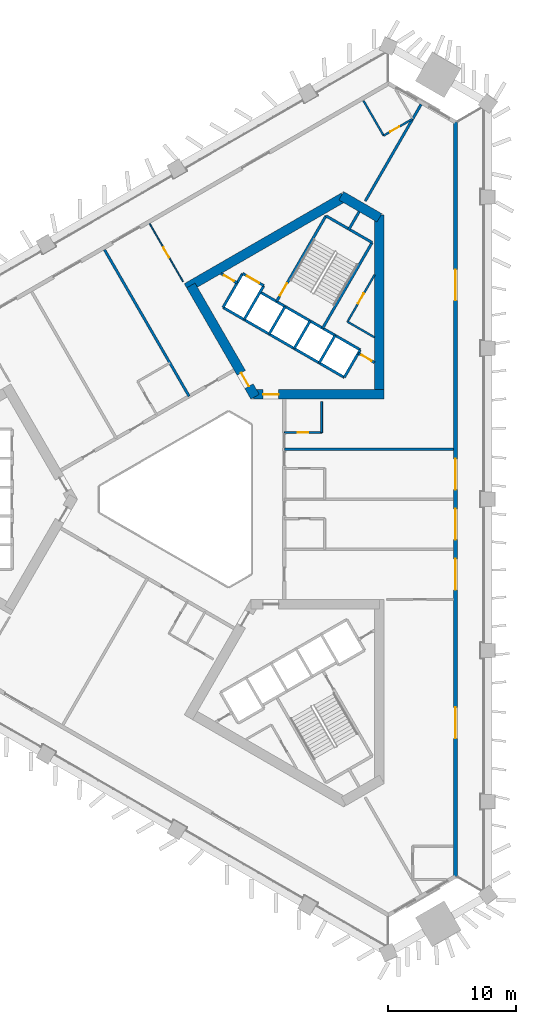
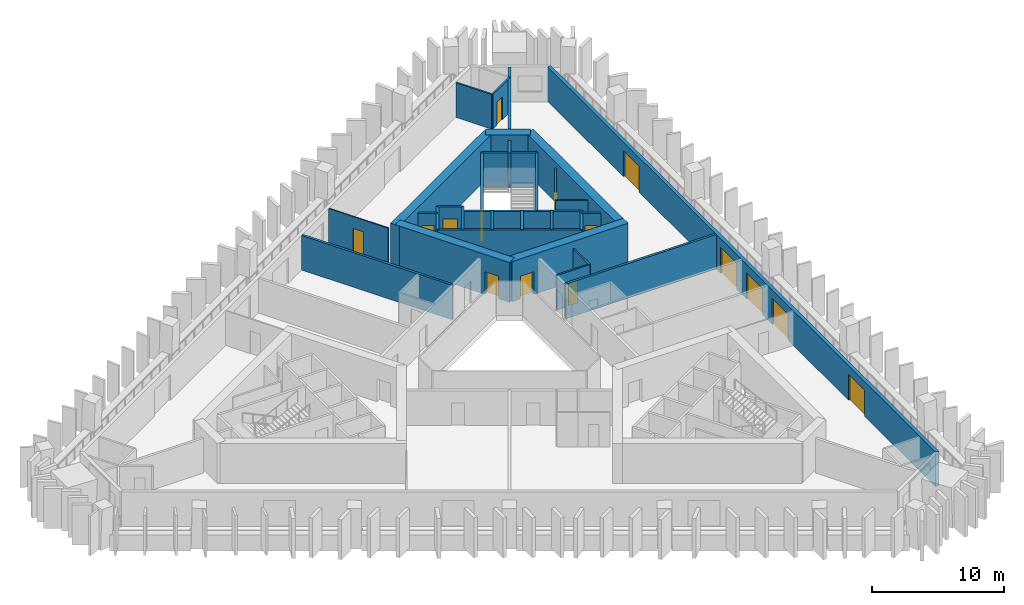
# One storey, part 6 of 11: 31 walls, 15 doors, 15 openings.
"""IFC4 building model written with IfcOpenShell, lengths in metres."""

from ifc_helpers import new_model, si_unit, direction, frame, frame_2d, origin, place, context, subcontext, project, spatial, rectangle, extrude, material, layer, layer_set, type_object, element, fill, save


model = new_model("IFC4")

# Units and contexts
model_context = context("Model", 3, precision=1e-05, world=origin(), true_north=direction((0.0, 1.0)))
body_context = subcontext(model_context, "Body", "Model", "MODEL_VIEW")
ifc_project = project(units=[si_unit("LENGTHUNIT", "METRE"), si_unit("AREAUNIT", "SQUARE_METRE"), si_unit("VOLUMEUNIT", "CUBIC_METRE"), si_unit("PLANEANGLEUNIT", "RADIAN"), si_unit("MASSUNIT", "GRAM", prefix="KILO")], contexts=[model_context])

# Site, building, storey
site_placement = place(None, origin())
site = spatial("IfcSite", under=ifc_project, at=site_placement, CompositionType="ELEMENT")
building_placement = place(site_placement, origin())
building = spatial("IfcBuilding", under=site, at=building_placement, Name="Jabali Bay Hotel Tower and Convention Centre", CompositionType="ELEMENT")
storey_placement = place(building_placement, frame((0.0, 0.0, 83.199951171875)))
storey = spatial("IfcBuildingStorey", under=building, at=storey_placement, Name="L19", CompositionType="ELEMENT", Elevation=83.199951171875)

# Wall
ifc_material_1 = material(Name="Concrete C40", Category="concrete")
ifc_layer_1 = layer(ifc_material_1, 0.199951171875)
ifc_layer_set_1 = layer_set([ifc_layer_1], Name="Concrete C40")
wall_type_1 = type_object("IfcWallType", Name="Core partition wall 200", PredefinedType="PARTITIONING", material=ifc_layer_set_1)
wall_1_placement = place(storey_placement, frame((87.090087890625, 100.9404296875, 0.0), z_axis=(0.0, 0.0, 1.0), x_axis=(0.499937194881, 0.866061661301, 0.0)))
element("IfcWall", 1, at=wall_1_placement, inside=storey, type_object=wall_type_1, Name="Core wall 1.5 L19", PredefinedType="PARTITIONING", context=body_context, shape_type="SweptSolid", body=[
    extrude(rectangle(XDim=1.673095703125, YDim=0.199951171875, at=frame_2d((0.83642578125, 0.0))), origin(), (0.0, 0.0, 1.0), 3.199951171875),
])

# Wall, opening, door
wall_2_placement = place(storey_placement, frame((89.130126953125, 90.640625, 0.0), z_axis=(0.0, 0.0, 1.0), x_axis=(-0.866094119867, 0.499880961361, 0.0)))
wall_2 = element("IfcWall", 2, at=wall_2_placement, inside=storey, type_object=wall_type_1, Name="Core wall 1.11 L19", PredefinedType="PARTITIONING", context=body_context, shape_type="SweptSolid", body=[
    extrude(rectangle(XDim=1.466552734375, YDim=0.199951171875, at=frame_2d((0.7333984375, 0.0))), origin(), (0.0, 0.0, 1.0), 3.199951171875),
])
opening_1_placement = place(wall_2_placement, frame((0.283447265625, 0.0, 0.0)))
opening_1 = element("IfcOpeningElement", 3, at=opening_1_placement, cuts=wall_2, Name="Opening D465", PredefinedType="OPENING", context=body_context, shape_type="SweptSolid", body=[
    extrude(rectangle(XDim=0.89990234375, YDim=2.10009765625, at=frame_2d((0.449951171875, 1.050048828125))), frame((0.0, 0.1103515625, 0.0), z_axis=(0.0, -1.0, 0.0), x_axis=(1.0, 0.0, 0.0)), (0.0, 0.0, 1.0), 0.220947265625),
])
ifc_material_2 = material(Name="Fire-rated steel door", Category="steel")
door_type_1 = type_object("IfcDoorType", Name="Vestibule fire door 900 x 2100", OperationType="NOTDEFINED", PredefinedType="NOTDEFINED", material=ifc_material_2)
door_1_placement = place(opening_1_placement, origin())
door_1 = element("IfcDoor", 4, at=door_1_placement, inside=storey, type_object=door_type_1, Name="Vestibule fire door D465", OperationType="SINGLE_SWING_LEFT", OverallHeight=2.10009765625, OverallWidth=0.89990234375, PredefinedType="NOTDEFINED", context=body_context, shape_type="SweptSolid", body=[
    extrude(rectangle(XDim=0.89990234375, YDim=2.10009765625, at=frame_2d((0.449951171875, 1.050048828125))), frame((0.0, 0.02490234375, 0.0), z_axis=(0.0, -1.0, 0.0), x_axis=(1.0, 0.0, 0.0)), (0.0, 0.0, 1.0), 0.050048828125),
])
fill(opening_1, door_1)

wall_3_placement = place(storey_placement, frame((78.43017578125, 96.84130859375, 0.0), z_axis=(0.0, 0.0, 1.0), x_axis=(-0.866045896294, 0.499964504253, 0.0)))
wall_3 = element("IfcWall", 5, at=wall_3_placement, inside=storey, type_object=wall_type_1, Name="Core wall 1.12 L19", PredefinedType="PARTITIONING", context=body_context, shape_type="SweptSolid", body=[
    extrude(rectangle(XDim=1.455078125, YDim=0.199951171875, at=frame_2d((0.7275390625, 0.0))), origin(), (0.0, 0.0, 1.0), 3.199951171875),
])
opening_2_placement = place(wall_3_placement, frame((0.277587890625, 0.0, 0.0)))
opening_2 = element("IfcOpeningElement", 6, at=opening_2_placement, cuts=wall_3, Name="Opening D464", PredefinedType="OPENING", context=body_context, shape_type="SweptSolid", body=[
    extrude(rectangle(XDim=0.89990234375, YDim=2.10009765625, at=frame_2d((0.449951171875, 1.050048828125))), frame((0.0, 0.1103515625, 0.0), z_axis=(0.0, -1.0, 0.0), x_axis=(1.0, 0.0, 0.0)), (0.0, 0.0, 1.0), 0.220947265625),
])
door_2_placement = place(opening_2_placement, origin())
door_2 = element("IfcDoor", 7, at=door_2_placement, inside=storey, type_object=door_type_1, Name="Vestibule fire door D464", OperationType="SINGLE_SWING_LEFT", OverallHeight=2.10009765625, OverallWidth=0.89990234375, PredefinedType="NOTDEFINED", context=body_context, shape_type="SweptSolid", body=[
    extrude(rectangle(XDim=0.89990234375, YDim=2.10009765625, at=frame_2d((0.449951171875, 1.050048828125))), frame((0.0, 0.02490234375, 0.0), z_axis=(0.0, -1.0, 0.0), x_axis=(1.0, 0.0, 0.0)), (0.0, 0.0, 1.0), 0.050048828125),
])
fill(opening_2, door_2)

ifc_material_3 = material(Name="Fire-rated board partition")
ifc_layer_2 = layer(ifc_material_3, 0.14990234375)
ifc_layer_set_2 = layer_set([ifc_layer_2], Name="Fire-rated board partition")
wall_type_2 = type_object("IfcWallType", Name="Core room partition 150", PredefinedType="PARTITIONING", material=ifc_layer_set_2)
wall_4_placement = place(storey_placement, frame((87.02099609375, 93.821044921875, 0.0), z_axis=(0.0, 0.0, 1.0), x_axis=(0.499986337096, 0.866033291922, 0.0)))
wall_4 = element("IfcWall", 8, at=wall_4_placement, inside=storey, type_object=wall_type_2, Name="Core wall 1.1 L19", PredefinedType="PARTITIONING", context=body_context, shape_type="SweptSolid", body=[
    extrude(rectangle(XDim=4.2177734375, YDim=0.14990234375, at=frame_2d((2.10888671875, 0.0))), origin(), (0.0, 0.0, 1.0), 3.199951171875),
])
opening_3_placement = place(wall_4_placement, frame((1.63134765625, 0.0, 0.0)))
opening_3 = element("IfcOpeningElement", 9, at=opening_3_placement, cuts=wall_4, Name="Opening D467", PredefinedType="OPENING", context=body_context, shape_type="SweptSolid", body=[
    extrude(rectangle(XDim=0.89990234375, YDim=2.10009765625, at=frame_2d((0.449951171875, 1.050048828125))), frame((0.0, 0.08544921875, 0.0), z_axis=(0.0, -1.0, 0.0), x_axis=(1.0, 0.0, 0.0)), (0.0, 0.0, 1.0), 0.1708984375),
])
door_type_2 = type_object("IfcDoorType", Name="Core room door 900 x 2100", OperationType="NOTDEFINED", PredefinedType="NOTDEFINED", material=ifc_material_2)
door_3_placement = place(opening_3_placement, origin())
door_3 = element("IfcDoor", 10, at=door_3_placement, inside=storey, type_object=door_type_2, Name="Core room door D467", OperationType="SINGLE_SWING_LEFT", OverallHeight=2.10009765625, OverallWidth=0.89990234375, PredefinedType="NOTDEFINED", context=body_context, shape_type="SweptSolid", body=[
    extrude(rectangle(XDim=0.89990234375, YDim=2.10009765625, at=frame_2d((0.449951171875, 1.050048828125))), frame((0.0, 0.02490234375, 0.0), z_axis=(0.0, -1.0, 0.0), x_axis=(1.0, 0.0, 0.0)), (0.0, 0.0, 1.0), 0.050048828125),
])
fill(opening_3, door_3)

# Walls
wall_5_placement = place(storey_placement, frame((89.130126953125, 92.603515625, 0.0), z_axis=(0.0, 0.0, 1.0), x_axis=(-0.866057046432, 0.499945189322, 0.0)))
element("IfcWall", 11, at=wall_5_placement, inside=storey, type_object=wall_type_2, Name="Core wall 1.15 L19", PredefinedType="PARTITIONING", context=body_context, shape_type="SweptSolid", body=[
    extrude(rectangle(XDim=2.435302734375, YDim=0.14990234375, at=frame_2d((1.2177734375, 0.0))), origin(), (0.0, 0.0, 1.0), 3.199951171875),
])
ifc_layer_3 = layer(ifc_material_1, 0.199951171875)
ifc_layer_set_3 = layer_set([ifc_layer_3], Name="Concrete C40")
wall_type_3 = type_object("IfcWallType", Name="Core stair wall 200", PredefinedType="SOLIDWALL", material=ifc_layer_set_3)
for number, where, z_axis, x_axis, name in (
    (12, (86.769775390625, 89.48583984375, 0.0), (0.0, 0.0, 1.0), (0.499961042966, 0.86604789447, 0.0), "Core wall 1.0 L19"),
    (13, (84.8212890625, 90.61083984375, 0.0), (0.0, 0.0, 1.0), (0.499961042966, 0.86604789447, 0.0), "Core wall 1.2 L19"),
):
    element("IfcWall", number, at=place(storey_placement, frame(where, z_axis=z_axis, x_axis=x_axis)), inside=storey, type_object=wall_type_3, Name=name, PredefinedType="SOLIDWALL", context=body_context, shape_type="SweptSolid", body=[
        extrude(rectangle(XDim=2.480224609375, YDim=0.199951171875, at=frame_2d((1.240234375, 0.0))), origin(), (0.0, 0.0, 1.0), 3.199951171875),
    ])
wall_6_placement = place(storey_placement, frame((85.0869140625, 93.3212890625, 0.0), z_axis=(0.0, 0.0, 1.0), x_axis=(0.500019787375, 0.866013979237, 0.0)))
element("IfcWall", 14, at=wall_6_placement, inside=storey, type_object=wall_type_3, Name="Core wall 1.3 L19", PredefinedType="SOLIDWALL", context=body_context, shape_type="SweptSolid", body=[
    extrude(rectangle(XDim=7.699951171875, YDim=0.199951171875, at=frame_2d((3.85009765625, 0.0))), origin(), (0.0, 0.0, 1.0), 3.199951171875),
])
for number, where, z_axis, x_axis, name in (
    (15, (82.872802734375, 91.73583984375, 0.0), (0.0, 0.0, 1.0), (0.499961042966, 0.86604789447, 0.0), "Core wall 1.4 L19"),
    (16, (80.924072265625, 92.86083984375, 0.0), (0.0, 0.0, 1.0), (0.499961042966, 0.86604789447, 0.0), "Core wall 1.6 L19"),
):
    element("IfcWall", number, at=place(storey_placement, frame(where, z_axis=z_axis, x_axis=x_axis)), inside=storey, type_object=wall_type_3, Name=name, PredefinedType="SOLIDWALL", context=body_context, shape_type="SweptSolid", body=[
        extrude(rectangle(XDim=2.480224609375, YDim=0.199951171875, at=frame_2d((1.240234375, 0.0))), origin(), (0.0, 0.0, 1.0), 3.199951171875),
    ])

# Wall, opening, door
wall_7_placement = place(storey_placement, frame((81.492919921875, 95.396240234375, 0.0), z_axis=(0.0, 0.0, 1.0), x_axis=(0.500006057782, 0.866021906294, 0.0)))
wall_7 = element("IfcWall", 17, at=wall_7_placement, inside=storey, type_object=wall_type_3, Name="Core wall 1.7 L19", PredefinedType="SOLIDWALL", context=body_context, shape_type="SweptSolid", body=[
    extrude(rectangle(XDim=7.7001953125, YDim=0.199951171875, at=frame_2d((3.85009765625, 0.0))), origin(), (0.0, 0.0, 1.0), 3.199951171875),
])
opening_4_placement = place(wall_7_placement, frame((0.550048828125, 0.0, 0.0)))
opening_4 = element("IfcOpeningElement", 18, at=opening_4_placement, cuts=wall_7, Name="Opening D466", PredefinedType="OPENING", context=body_context, shape_type="SweptSolid", body=[
    extrude(rectangle(XDim=1.10009765625, YDim=2.10009765625, at=frame_2d((0.550048828125, 1.050048828125))), frame((0.0, 0.1103515625, 0.0), z_axis=(0.0, -1.0, 0.0), x_axis=(1.0, 0.0, 0.0)), (0.0, 0.0, 1.0), 0.220947265625),
])
door_type_3 = type_object("IfcDoorType", Name="Stair fire door 1100 x 2100", OperationType="NOTDEFINED", PredefinedType="NOTDEFINED", material=ifc_material_2)
door_4_placement = place(opening_4_placement, origin())
door_4 = element("IfcDoor", 19, at=door_4_placement, inside=storey, type_object=door_type_3, Name="Stair fire door D466", OperationType="SINGLE_SWING_RIGHT", OverallHeight=2.10009765625, OverallWidth=1.10009765625, PredefinedType="NOTDEFINED", context=body_context, shape_type="SweptSolid", body=[
    extrude(rectangle(XDim=1.10009765625, YDim=2.10009765625, at=frame_2d((0.550048828125, 1.050048828125))), frame((0.0, 0.02490234375, 0.0), z_axis=(0.0, -1.0, 0.0), x_axis=(1.0, 0.0, 0.0)), (0.0, 0.0, 1.0), 0.050048828125),
])
fill(opening_4, door_4)

# Walls
for number, where, z_axis, x_axis, name in (
    (20, (78.9755859375, 93.98583984375, 0.0), (0.0, 0.0, 1.0), (0.499944174705, 0.866057632134, 0.0), "Core wall 1.8 L19"),
    (21, (77.330078125, 94.93603515625, 0.0), (0.0, 0.0, 1.0), (0.500038867431, 0.8660029625, 0.0), "Core wall 1.9 L19"),
):
    element("IfcWall", number, at=place(storey_placement, frame(where, z_axis=z_axis, x_axis=x_axis)), inside=storey, type_object=wall_type_3, Name=name, PredefinedType="SOLIDWALL", context=body_context, shape_type="SweptSolid", body=[
        extrude(rectangle(XDim=3.050048828125, YDim=0.199951171875, at=frame_2d((1.52490234375, 0.0))), origin(), (0.0, 0.0, 1.0), 3.199951171875),
    ])
wall_8_placement = place(storey_placement, frame((86.769775390625, 89.48583984375, 0.0), z_axis=(0.0, 0.0, 1.0), x_axis=(-0.86601811187, 0.500012629753, 0.0)))
element("IfcWall", 22, at=wall_8_placement, inside=storey, type_object=wall_type_3, Name="Core wall 1.10 L19", PredefinedType="SOLIDWALL", context=body_context, shape_type="SweptSolid", body=[
    extrude(rectangle(XDim=10.900146484375, YDim=0.199951171875, at=frame_2d((5.4501953125, 0.0))), origin(), (0.0, 0.0, 1.0), 3.199951171875),
])
wall_9_placement = place(storey_placement, frame((88.009765625, 91.6337890625, 0.0), z_axis=(0.0, 0.0, 1.0), x_axis=(-0.866024315419, 0.5000018851, 0.0)))
element("IfcWall", 23, at=wall_9_placement, inside=storey, type_object=wall_type_3, Name="Core wall 1.13 L19", PredefinedType="SOLIDWALL", context=body_context, shape_type="SweptSolid", body=[
    extrude(rectangle(XDim=9.0, YDim=0.199951171875, at=frame_2d((4.5, 0.0))), origin(), (0.0, 0.0, 1.0), 3.199951171875),
])

# Wall, opening, door
wall_10_placement = place(storey_placement, frame((80.50048828125, 96.62744140625, 0.0), z_axis=(0.0, 0.0, 1.0), x_axis=(-0.86601224135, 0.500022797313, 0.0)))
wall_10 = element("IfcWall", 24, at=wall_10_placement, inside=storey, type_object=wall_type_3, Name="Core wall 1.14 L19", PredefinedType="SOLIDWALL", context=body_context, shape_type="SweptSolid", body=[
    extrude(rectangle(XDim=1.89990234375, YDim=0.199951171875, at=frame_2d((0.949951171875, 0.0))), origin(), (0.0, 0.0, 1.0), 3.199951171875),
])
opening_5_placement = place(wall_10_placement, frame((0.39990234375, 0.0, 0.0)))
opening_5 = element("IfcOpeningElement", 25, at=opening_5_placement, cuts=wall_10, Name="Opening LD10-L19", PredefinedType="OPENING", context=body_context, shape_type="SweptSolid", body=[
    extrude(rectangle(XDim=1.10009765625, YDim=2.10009765625, at=frame_2d((0.550048828125, 1.050048828125))), frame((0.0, 0.1103515625, 0.0), z_axis=(0.0, -1.0, 0.0), x_axis=(1.0, 0.0, 0.0)), (0.0, 0.0, 1.0), 0.220947265625),
])
ifc_material_4 = material(Name="Stainless steel landing door", Category="steel")
door_type_4 = type_object("IfcDoorType", Name="Landing door 1100 x 2100", OperationType="NOTDEFINED", PredefinedType="NOTDEFINED", material=ifc_material_4)
door_5_placement = place(opening_5_placement, origin())
door_5 = element("IfcDoor", 26, at=door_5_placement, inside=storey, type_object=door_type_4, Name="Landing doors LD10-L19", OperationType="SLIDING_TO_RIGHT", OverallHeight=2.10009765625, OverallWidth=1.10009765625, PredefinedType="NOTDEFINED", context=body_context, shape_type="SweptSolid", body=[
    extrude(rectangle(XDim=1.10009765625, YDim=2.10009765625, at=frame_2d((0.550048828125, 1.050048828125))), frame((0.0, 0.02490234375, 0.0), z_axis=(0.0, -1.0, 0.0), x_axis=(1.0, 0.0, 0.0)), (0.0, 0.0, 1.0), 0.050048828125),
])
fill(opening_5, door_5)

# Wall
wall_11_placement = place(storey_placement, frame((88.93701171875, 99.989501953125, 0.0), z_axis=(0.0, 0.0, 1.0), x_axis=(-0.866004344652, 0.500036473714, 0.0)))
element("IfcWall", 27, at=wall_11_placement, inside=storey, type_object=wall_type_3, Name="Core wall 1.16 L19", PredefinedType="SOLIDWALL", context=body_context, shape_type="SweptSolid", body=[
    extrude(rectangle(XDim=4.150146484375, YDim=0.199951171875, at=frame_2d((2.0751953125, 0.0))), origin(), (0.0, 0.0, 1.0), 3.199951171875),
])

# Wall, opening, door
ifc_material_5 = material(Name="Concrete C60", Category="concrete")
ifc_layer_4 = layer(ifc_material_5, 0.75)
ifc_layer_set_4 = layer_set([ifc_layer_4], Name="Concrete C60")
wall_type_4 = type_object("IfcWallType", Name="Core wall 750", PredefinedType="SHEAR", material=ifc_layer_set_4)
wall_12_placement = place(storey_placement, frame((79.716552734375, 88.169189453125, 0.0), z_axis=(0.0, 0.0, 1.0), x_axis=(1.0, 0.0, 0.0)))
wall_12 = element("IfcWall", 28, at=wall_12_placement, inside=storey, type_object=wall_type_4, Name="Core wall 2.1 L19", PredefinedType="SHEAR", context=body_context, shape_type="SweptSolid", body=[
    extrude(rectangle(XDim=10.163330078125, YDim=0.75, at=frame_2d((5.08154296875, 0.0))), origin(), (0.0, 0.0, 1.0), 3.699951171875),
])
opening_6_placement = place(wall_12_placement, frame((0.7333984375, 0.0, 0.0)))
opening_6 = element("IfcOpeningElement", 29, at=opening_6_placement, cuts=wall_12, Name="Opening D462", PredefinedType="OPENING", context=body_context, shape_type="SweptSolid", body=[
    extrude(rectangle(XDim=1.199951171875, YDim=2.10009765625, at=frame_2d((0.60009765625, 1.050048828125))), frame((0.0, 0.385498046875, 0.0), z_axis=(0.0, -1.0, 0.0), x_axis=(1.0, 0.0, 0.0)), (0.0, 0.0, 1.0), 0.77099609375),
])
door_type_5 = type_object("IfcDoorType", Name="Corridor end fire door 1200 x 2100", OperationType="NOTDEFINED", PredefinedType="NOTDEFINED", material=ifc_material_2)
door_6_placement = place(opening_6_placement, origin())
door_6 = element("IfcDoor", 30, at=door_6_placement, inside=storey, type_object=door_type_5, Name="Corridor end fire door D462", OperationType="SINGLE_SWING_RIGHT", OverallHeight=2.10009765625, OverallWidth=1.199951171875, PredefinedType="NOTDEFINED", context=body_context, shape_type="SweptSolid", body=[
    extrude(rectangle(XDim=1.199951171875, YDim=2.10009765625, at=frame_2d((0.60009765625, 1.050048828125))), frame((0.0, 0.02490234375, 0.0), z_axis=(0.0, -1.0, 0.0), x_axis=(1.0, 0.0, 0.0)), (0.0, 0.0, 1.0), 0.050048828125),
])
fill(opening_6, door_6)

# Walls
wall_13_placement = place(storey_placement, frame((89.5048828125, 88.169189453125, 0.0), z_axis=(0.0, 0.0, 1.0), x_axis=(0.0, 1.0, 0.0)))
element("IfcWall", 31, at=wall_13_placement, inside=storey, type_object=wall_type_4, Name="Core wall 2.2 L19", PredefinedType="SHEAR", context=body_context, shape_type="SweptSolid", body=[
    extrude(rectangle(XDim=13.95849609375, YDim=0.75, at=frame_2d((6.979248046875, 0.0))), origin(), (0.0, 0.0, 1.0), 3.699951171875),
])
wall_14_placement = place(storey_placement, frame((89.5048828125, 101.9111328125, 0.0), z_axis=(0.0, 0.0, 1.0), x_axis=(-0.866017201164, 0.500014207086, 0.0)))
element("IfcWall", 32, at=wall_14_placement, inside=storey, type_object=wall_type_4, Name="Core wall 2.3 L19", PredefinedType="SHEAR", context=body_context, shape_type="SweptSolid", body=[
    extrude(rectangle(XDim=3.4287109375, YDim=0.75, at=frame_2d((1.71435546875, 0.0))), origin(), (0.0, 0.0, 1.0), 3.699951171875),
])
wall_15_placement = place(storey_placement, frame((86.72314453125, 103.517333984375, 0.0), z_axis=(0.0, 0.0, 1.0), x_axis=(-0.866020851292, -0.500007885066, 0.0)))
element("IfcWall", 33, at=wall_15_placement, inside=storey, type_object=wall_type_4, Name="Core wall 2.4 L19", PredefinedType="SHEAR", context=body_context, shape_type="SweptSolid", body=[
    extrude(rectangle(XDim=14.116943359375, YDim=0.75, at=frame_2d((7.05859375, 0.0))), origin(), (0.0, 0.0, 1.0), 3.699951171875),
])

# Wall, opening, door
wall_16_placement = place(storey_placement, frame((74.822265625, 96.646240234375, 0.0), z_axis=(0.0, 0.0, 1.0), x_axis=(0.499997052475, -0.866027105532, 0.0)))
wall_16 = element("IfcWall", 34, at=wall_16_placement, inside=storey, type_object=wall_type_4, Name="Core wall 2.5 L19", PredefinedType="SHEAR", context=body_context, shape_type="SweptSolid", body=[
    extrude(rectangle(XDim=10.0048828125, YDim=0.75, at=frame_2d((5.00244140625, 0.0))), origin(), (0.0, 0.0, 1.0), 3.699951171875),
])
opening_7_placement = place(wall_16_placement, frame((7.85498046875, 0.0, 0.0)))
opening_7 = element("IfcOpeningElement", 35, at=opening_7_placement, cuts=wall_16, Name="Opening D463", PredefinedType="OPENING", context=body_context, shape_type="SweptSolid", body=[
    extrude(rectangle(XDim=1.199951171875, YDim=2.10009765625, at=frame_2d((0.60009765625, 1.050048828125))), frame((0.0, 0.385498046875, 0.0), z_axis=(0.0, -1.0, 0.0), x_axis=(1.0, 0.0, 0.0)), (0.0, 0.0, 1.0), 0.77099609375),
])
door_7_placement = place(opening_7_placement, origin())
door_7 = element("IfcDoor", 36, at=door_7_placement, inside=storey, type_object=door_type_5, Name="Corridor end fire door D463", OperationType="SINGLE_SWING_LEFT", OverallHeight=2.10009765625, OverallWidth=1.199951171875, PredefinedType="NOTDEFINED", context=body_context, shape_type="SweptSolid", body=[
    extrude(rectangle(XDim=1.199951171875, YDim=2.10009765625, at=frame_2d((0.60009765625, 1.050048828125))), frame((0.0, 0.02490234375, 0.0), z_axis=(0.0, -1.0, 0.0), x_axis=(1.0, 0.0, 0.0)), (0.0, 0.0, 1.0), 0.050048828125),
])
fill(opening_7, door_7)

# Wall, openings, doors
ifc_layer_5 = layer(ifc_material_1, 0.300048828125)
ifc_layer_set_5 = layer_set([ifc_layer_5], Name="Concrete C40")
wall_type_5 = type_object("IfcWallType", Name="External wall 300", PredefinedType="SOLIDWALL", material=ifc_layer_set_5)
wall_17_placement = place(storey_placement, frame((95.426025390625, 109.368408203125, 0.0), z_axis=(0.0, 0.0, 1.0), x_axis=(0.0, -1.0, 0.0)))
wall_17 = element("IfcWall", 37, at=wall_17_placement, inside=storey, type_object=wall_type_5, Name="External wall east face L19", PredefinedType="SOLIDWALL", context=body_context, shape_type="SweptSolid", body=[
    extrude(rectangle(XDim=58.73681640625, YDim=0.300048828125, at=frame_2d((29.368408203125, 0.0))), origin(), (0.0, 0.0, 1.0), 3.199951171875),
])
opening_8_placement = place(wall_17_placement, frame((34.01416015625, 0.0, 0.0)))
opening_8 = element("IfcOpeningElement", 38, at=opening_8_placement, cuts=wall_17, Name="Opening SD1", PredefinedType="OPENING", context=body_context, shape_type="SweptSolid", body=[
    extrude(rectangle(XDim=2.39990234375, YDim=2.39990234375, at=frame_2d((1.199951171875, 1.199951171875))), frame((0.0, 0.16064453125, 0.0), z_axis=(0.0, -1.0, 0.0), x_axis=(1.0, 0.0, 0.0)), (0.0, 0.0, 1.0), 0.321044921875),
])
opening_9_placement = place(wall_17_placement, frame((45.574951171875, 0.0, 0.0)))
opening_9 = element("IfcOpeningElement", 39, at=opening_9_placement, cuts=wall_17, Name="Opening SD1", PredefinedType="OPENING", context=body_context, shape_type="SweptSolid", body=[
    extrude(rectangle(XDim=2.39990234375, YDim=2.39990234375, at=frame_2d((1.199951171875, 1.199951171875))), frame((0.0, 0.16064453125, 0.0), z_axis=(0.0, -1.0, 0.0), x_axis=(1.0, 0.0, 0.0)), (0.0, 0.0, 1.0), 0.321044921875),
])
opening_10_placement = place(wall_17_placement, frame((30.116943359375, 0.0, 0.0)))
opening_10 = element("IfcOpeningElement", 40, at=opening_10_placement, cuts=wall_17, Name="Opening SD1", PredefinedType="OPENING", context=body_context, shape_type="SweptSolid", body=[
    extrude(rectangle(XDim=2.39990234375, YDim=2.39990234375, at=frame_2d((1.199951171875, 1.199951171875))), frame((0.0, 0.16064453125, 0.0), z_axis=(0.0, -1.0, 0.0), x_axis=(1.0, 0.0, 0.0)), (0.0, 0.0, 1.0), 0.321044921875),
])
opening_11_placement = place(wall_17_placement, frame((11.492431640625, 0.0, 0.0)))
opening_11 = element("IfcOpeningElement", 41, at=opening_11_placement, cuts=wall_17, Name="Opening SD1", PredefinedType="OPENING", context=body_context, shape_type="SweptSolid", body=[
    extrude(rectangle(XDim=2.39990234375, YDim=2.39990234375, at=frame_2d((1.199951171875, 1.199951171875))), frame((0.0, 0.16064453125, 0.0), z_axis=(0.0, -1.0, 0.0), x_axis=(1.0, 0.0, 0.0)), (0.0, 0.0, 1.0), 0.321044921875),
])
opening_12_placement = place(wall_17_placement, frame((26.219970703125, 0.0, 0.0)))
opening_12 = element("IfcOpeningElement", 42, at=opening_12_placement, cuts=wall_17, Name="Opening SD1", PredefinedType="OPENING", context=body_context, shape_type="SweptSolid", body=[
    extrude(rectangle(XDim=2.39990234375, YDim=2.39990234375, at=frame_2d((1.199951171875, 1.199951171875))), frame((0.0, 0.16064453125, 0.0), z_axis=(0.0, -1.0, 0.0), x_axis=(1.0, 0.0, 0.0)), (0.0, 0.0, 1.0), 0.321044921875),
])
ifc_material_6 = material(Name="Glass", Category="glass")
door_type_6 = type_object("IfcDoorType", Name="Loggia sliding door 2400 x 2400", OperationType="NOTDEFINED", PredefinedType="NOTDEFINED", material=ifc_material_6)
door_8_placement = place(opening_8_placement, origin())
door_8 = element("IfcDoor", 43, at=door_8_placement, inside=storey, type_object=door_type_6, Name="Loggia sliding door 1901", OperationType="SLIDING_TO_LEFT", OverallHeight=2.39990234375, OverallWidth=2.39990234375, PredefinedType="NOTDEFINED", context=body_context, shape_type="SweptSolid", body=[
    extrude(rectangle(XDim=2.39990234375, YDim=2.39990234375, at=frame_2d((1.199951171875, 1.199951171875))), frame((0.0, 0.02490234375, 0.0), z_axis=(0.0, -1.0, 0.0), x_axis=(1.0, 0.0, 0.0)), (0.0, 0.0, 1.0), 0.050048828125),
])
fill(opening_8, door_8)
door_9_placement = place(opening_9_placement, origin())
door_9 = element("IfcDoor", 44, at=door_9_placement, inside=storey, type_object=door_type_6, Name="Loggia sliding door 1901", OperationType="SLIDING_TO_RIGHT", OverallHeight=2.39990234375, OverallWidth=2.39990234375, PredefinedType="NOTDEFINED", context=body_context, shape_type="SweptSolid", body=[
    extrude(rectangle(XDim=2.39990234375, YDim=2.39990234375, at=frame_2d((1.199951171875, 1.199951171875))), frame((0.0, 0.02490234375, 0.0), z_axis=(0.0, -1.0, 0.0), x_axis=(1.0, 0.0, 0.0)), (0.0, 0.0, 1.0), 0.050048828125),
])
fill(opening_9, door_9)
door_10_placement = place(opening_10_placement, origin())
door_10 = element("IfcDoor", 45, at=door_10_placement, inside=storey, type_object=door_type_6, Name="Loggia sliding door 1902", OperationType="SLIDING_TO_LEFT", OverallHeight=2.39990234375, OverallWidth=2.39990234375, PredefinedType="NOTDEFINED", context=body_context, shape_type="SweptSolid", body=[
    extrude(rectangle(XDim=2.39990234375, YDim=2.39990234375, at=frame_2d((1.199951171875, 1.199951171875))), frame((0.0, 0.02490234375, 0.0), z_axis=(0.0, -1.0, 0.0), x_axis=(1.0, 0.0, 0.0)), (0.0, 0.0, 1.0), 0.050048828125),
])
fill(opening_10, door_10)
door_11_placement = place(opening_11_placement, origin())
door_11 = element("IfcDoor", 46, at=door_11_placement, inside=storey, type_object=door_type_6, Name="Loggia sliding door 1904", OperationType="SLIDING_TO_RIGHT", OverallHeight=2.39990234375, OverallWidth=2.39990234375, PredefinedType="NOTDEFINED", context=body_context, shape_type="SweptSolid", body=[
    extrude(rectangle(XDim=2.39990234375, YDim=2.39990234375, at=frame_2d((1.199951171875, 1.199951171875))), frame((0.0, 0.02490234375, 0.0), z_axis=(0.0, -1.0, 0.0), x_axis=(1.0, 0.0, 0.0)), (0.0, 0.0, 1.0), 0.050048828125),
])
fill(opening_11, door_11)
door_12_placement = place(opening_12_placement, origin())
door_12 = element("IfcDoor", 47, at=door_12_placement, inside=storey, type_object=door_type_6, Name="Loggia sliding door 1903", OperationType="SLIDING_TO_LEFT", OverallHeight=2.39990234375, OverallWidth=2.39990234375, PredefinedType="NOTDEFINED", context=body_context, shape_type="SweptSolid", body=[
    extrude(rectangle(XDim=2.39990234375, YDim=2.39990234375, at=frame_2d((1.199951171875, 1.199951171875))), frame((0.0, 0.02490234375, 0.0), z_axis=(0.0, -1.0, 0.0), x_axis=(1.0, 0.0, 0.0)), (0.0, 0.0, 1.0), 0.050048828125),
])
fill(opening_12, door_12)

# Wall, opening, door
ifc_material_7 = material(Name="Plasterboard on steel stud", Category="steel")
ifc_layer_6 = layer(ifc_material_7, 0.10009765625)
ifc_layer_set_6 = layer_set([ifc_layer_6], Name="Plasterboard on steel stud")
wall_type_6 = type_object("IfcWallType", Name="Partition 100 unit", PredefinedType="PARTITIONING", material=ifc_layer_set_6)
wall_18_placement = place(storey_placement, frame((74.21044921875, 96.955810546875, 0.0), z_axis=(0.0, 0.0, 1.0), x_axis=(-0.499973171224, 0.866040892832, 0.0)))
wall_18 = element("IfcWall", 48, at=wall_18_placement, inside=storey, type_object=wall_type_6, Name="Partition P02 L19 018", PredefinedType="PARTITIONING", context=body_context, shape_type="SweptSolid", body=[
    extrude(rectangle(XDim=5.197998046875, YDim=0.10009765625, at=frame_2d((2.59912109375, 0.0))), origin(), (0.0, 0.0, 1.0), 3.199951171875),
])
opening_13_placement = place(wall_18_placement, frame((2.14892578125, 0.0, 0.0)))
opening_13 = element("IfcOpeningElement", 49, at=opening_13_placement, cuts=wall_18, Name="Opening 1911", PredefinedType="OPENING", context=body_context, shape_type="SweptSolid", body=[
    extrude(rectangle(XDim=0.89990234375, YDim=2.10009765625, at=frame_2d((0.449951171875, 1.050048828125))), frame((0.0, 0.060546875, 0.0), z_axis=(0.0, -1.0, 0.0), x_axis=(1.0, 0.0, 0.0)), (0.0, 0.0, 1.0), 0.12109375),
])
ifc_material_8 = material(Name="Timber", Category="wood")
door_type_7 = type_object("IfcDoorType", Name="Internal door 900 x 2100", OperationType="NOTDEFINED", PredefinedType="NOTDEFINED", material=ifc_material_8)
door_13_placement = place(opening_13_placement, origin())
door_13 = element("IfcDoor", 50, at=door_13_placement, inside=storey, type_object=door_type_7, Name="Door 1911", OperationType="SINGLE_SWING_RIGHT", OverallHeight=2.10009765625, OverallWidth=0.89990234375, PredefinedType="NOTDEFINED", context=body_context, shape_type="SweptSolid", body=[
    extrude(rectangle(XDim=0.89990234375, YDim=2.10009765625, at=frame_2d((0.449951171875, 1.050048828125))), frame((0.0, 0.02490234375, 0.0), z_axis=(0.0, -1.0, 0.0), x_axis=(1.0, 0.0, 0.0)), (0.0, 0.0, 1.0), 0.050048828125),
])
fill(opening_13, door_13)

# Wall
ifc_layer_7 = layer(ifc_material_7, 0.14990234375)
ifc_layer_set_7 = layer_set([ifc_layer_7], Name="Plasterboard on steel stud")
wall_type_7 = type_object("IfcWallType", Name="Partition 150 wet", PredefinedType="PARTITIONING", material=ifc_layer_set_7)
wall_19_placement = place(storey_placement, frame((85.0, 87.59521484375, 0.0), z_axis=(0.0, 0.0, 1.0), x_axis=(0.0, -1.0, 0.0)))
element("IfcWall", 51, at=wall_19_placement, inside=storey, type_object=wall_type_7, Name="Partition P03 L19 015", PredefinedType="PARTITIONING", context=body_context, shape_type="SweptSolid", body=[
    extrude(rectangle(XDim=2.398193359375, YDim=0.14990234375, at=frame_2d((1.19921875, 0.0))), origin(), (0.0, 0.0, 1.0), 3.199951171875),
])

# Wall, opening, door
wall_20_placement = place(storey_placement, frame((85.0, 85.197021484375, 0.0), z_axis=(0.0, 0.0, 1.0), x_axis=(-1.0, 0.0, 0.0)))
wall_20 = element("IfcWall", 52, at=wall_20_placement, inside=storey, type_object=wall_type_7, Name="Partition P03 L19 016", PredefinedType="PARTITIONING", context=body_context, shape_type="SweptSolid", body=[
    extrude(rectangle(XDim=2.89990234375, YDim=0.14990234375, at=frame_2d((1.449951171875, 0.0))), origin(), (0.0, 0.0, 1.0), 3.199951171875),
])
opening_14_placement = place(wall_20_placement, frame((1.050048828125, 0.0, 0.0)))
opening_14 = element("IfcOpeningElement", 53, at=opening_14_placement, cuts=wall_20, Name="Opening 1908", PredefinedType="OPENING", context=body_context, shape_type="SweptSolid", body=[
    extrude(rectangle(XDim=0.800048828125, YDim=2.10009765625, at=frame_2d((0.39990234375, 1.050048828125))), frame((0.0, 0.08544921875, 0.0), z_axis=(0.0, -1.0, 0.0), x_axis=(1.0, 0.0, 0.0)), (0.0, 0.0, 1.0), 0.1708984375),
])
door_type_8 = type_object("IfcDoorType", Name="En-suite door 800 x 2100", OperationType="NOTDEFINED", PredefinedType="NOTDEFINED", material=ifc_material_8)
door_14_placement = place(opening_14_placement, origin())
door_14 = element("IfcDoor", 54, at=door_14_placement, inside=storey, type_object=door_type_8, Name="Door 1908", OperationType="SINGLE_SWING_LEFT", OverallHeight=2.10009765625, OverallWidth=0.800048828125, PredefinedType="NOTDEFINED", context=body_context, shape_type="SweptSolid", body=[
    extrude(rectangle(XDim=0.800048828125, YDim=2.10009765625, at=frame_2d((0.39990234375, 1.050048828125))), frame((0.0, 0.02490234375, 0.0), z_axis=(0.0, -1.0, 0.0), x_axis=(1.0, 0.0, 0.0)), (0.0, 0.0, 1.0), 0.050048828125),
])
fill(opening_14, door_14)

wall_21_placement = place(storey_placement, frame((92.08447265625, 109.61083984375, 0.0), z_axis=(0.0, 0.0, 1.0), x_axis=(-0.866021400173, -0.500006934395, 0.0)))
wall_21 = element("IfcWall", 55, at=wall_21_placement, inside=storey, type_object=wall_type_7, Name="Partition P03 L19 021", PredefinedType="PARTITIONING", context=body_context, shape_type="SweptSolid", body=[
    extrude(rectangle(XDim=2.60009765625, YDim=0.14990234375, at=frame_2d((1.300048828125, 0.0))), origin(), (0.0, 0.0, 1.0), 3.199951171875),
])
opening_15_placement = place(wall_21_placement, frame((1.199951171875, 0.0, 0.0)))
opening_15 = element("IfcOpeningElement", 56, at=opening_15_placement, cuts=wall_21, Name="Opening 1912", PredefinedType="OPENING", context=body_context, shape_type="SweptSolid", body=[
    extrude(rectangle(XDim=0.800048828125, YDim=2.10009765625, at=frame_2d((0.39990234375, 1.050048828125))), frame((0.0, 0.08544921875, 0.0), z_axis=(0.0, -1.0, 0.0), x_axis=(1.0, 0.0, 0.0)), (0.0, 0.0, 1.0), 0.1708984375),
])
door_15_placement = place(opening_15_placement, origin())
door_15 = element("IfcDoor", 57, at=door_15_placement, inside=storey, type_object=door_type_8, Name="Door 1912", OperationType="SINGLE_SWING_RIGHT", OverallHeight=2.10009765625, OverallWidth=0.800048828125, PredefinedType="NOTDEFINED", context=body_context, shape_type="SweptSolid", body=[
    extrude(rectangle(XDim=0.800048828125, YDim=2.10009765625, at=frame_2d((0.39990234375, 1.050048828125))), frame((0.0, 0.02490234375, 0.0), z_axis=(0.0, -1.0, 0.0), x_axis=(1.0, 0.0, 0.0)), (0.0, 0.0, 1.0), 0.050048828125),
])
fill(opening_15, door_15)

# Walls
wall_22_placement = place(storey_placement, frame((89.832763671875, 108.310791015625, 0.0), z_axis=(0.0, 0.0, 1.0), x_axis=(-0.499967424082, 0.866044210682, 0.0)))
element("IfcWall", 58, at=wall_22_placement, inside=storey, type_object=wall_type_7, Name="Partition P03 L19 022", PredefinedType="PARTITIONING", context=body_context, shape_type="SweptSolid", body=[
    extrude(rectangle(XDim=3.134521484375, YDim=0.14990234375, at=frame_2d((1.5673828125, 0.0))), origin(), (0.0, 0.0, 1.0), 3.199951171875),
])
ifc_layer_8 = layer(ifc_material_7, 0.199951171875)
ifc_layer_set_8 = layer_set([ifc_layer_8], Name="Plasterboard on steel stud")
wall_type_8 = type_object("IfcWallType", Name="Partition 200 party", PredefinedType="PARTITIONING", material=ifc_layer_set_8)
wall_23_placement = place(storey_placement, frame((95.27685546875, 83.897216796875, 0.0), z_axis=(0.0, 0.0, 1.0), x_axis=(-1.0, 0.0, 0.0)))
element("IfcWall", 59, at=wall_23_placement, inside=storey, type_object=wall_type_8, Name="Partition P01 L19 014", PredefinedType="PARTITIONING", context=body_context, shape_type="SweptSolid", body=[
    extrude(rectangle(XDim=13.1767578125, YDim=0.199951171875, at=frame_2d((6.58837890625, 0.0))), origin(), (0.0, 0.0, 1.0), 3.199951171875),
])
wall_24_placement = place(storey_placement, frame((92.748779296875, 110.741943359375, 0.0), z_axis=(0.0, 0.0, 1.0), x_axis=(-0.499980071345, -0.866036909293, 0.0)))
element("IfcWall", 60, at=wall_24_placement, inside=storey, type_object=wall_type_8, Name="Partition P01 L19 017", PredefinedType="PARTITIONING", context=body_context, shape_type="SweptSolid", body=[
    extrude(rectangle(XDim=8.695556640625, YDim=0.199951171875, at=frame_2d((4.34765625, 0.0))), origin(), (0.0, 0.0, 1.0), 3.199951171875),
])
wall_25_placement = place(storey_placement, frame((68.1015625, 99.430908203125, 0.0), z_axis=(0.0, 0.0, 1.0), x_axis=(0.499992964734, -0.866029465559, 0.0)))
element("IfcWall", 61, at=wall_25_placement, inside=storey, type_object=wall_type_8, Name="Partition P01 L19 019", PredefinedType="PARTITIONING", context=body_context, shape_type="SweptSolid", body=[
    extrude(rectangle(XDim=13.177001953125, YDim=0.199951171875, at=frame_2d((6.58837890625, 0.0))), origin(), (0.0, 0.0, 1.0), 3.199951171875),
])

save(model, "model.ifc")
